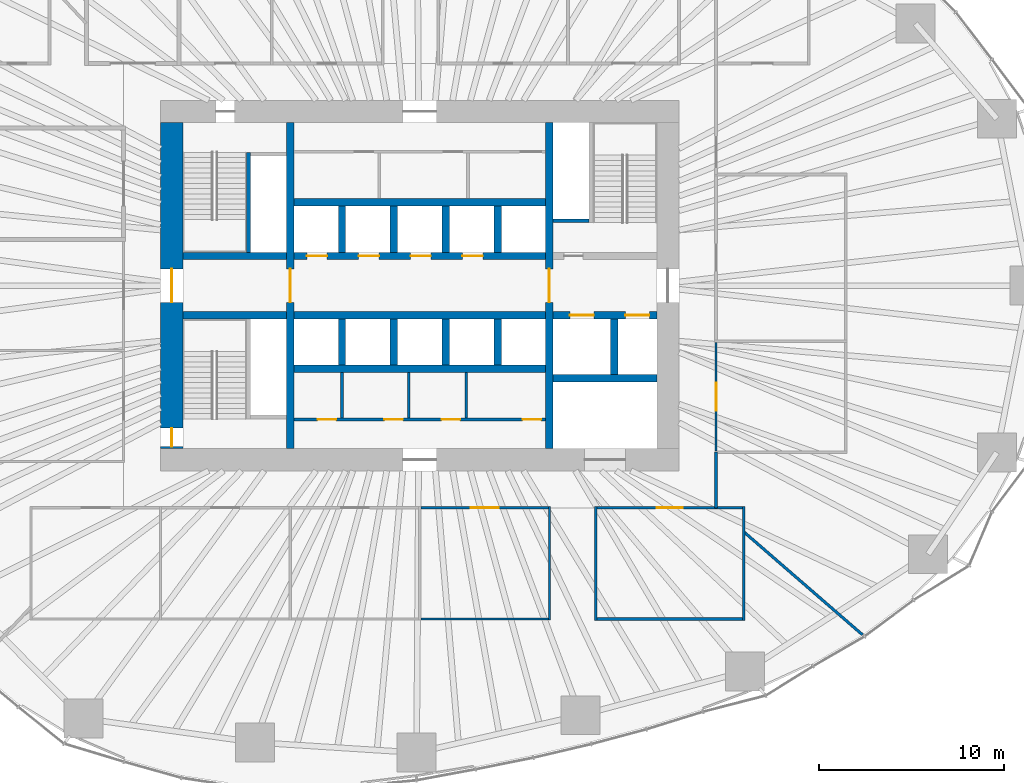
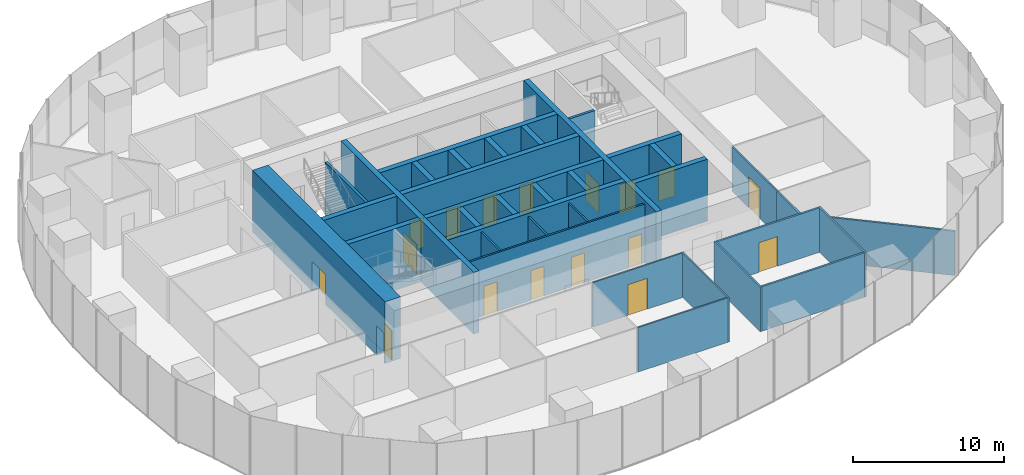
# One storey, part 10 of 20: 36 walls, 17 doors, 17 openings.
"""IFC4 building model written with IfcOpenShell, lengths in metres."""

from ifc_helpers import new_model, si_unit, direction, frame, frame_2d, origin, place, context, subcontext, project, spatial, rectangle, extrude, material, layer, layer_set, type_object, element, fill, save


model = new_model("IFC4")

# Units and contexts
model_context = context("Model", 3, precision=1e-05, world=origin(), true_north=direction((0.0, 1.0)))
body_context = subcontext(model_context, "Body", "Model", "MODEL_VIEW")
ifc_project = project(units=[si_unit("LENGTHUNIT", "METRE"), si_unit("AREAUNIT", "SQUARE_METRE"), si_unit("VOLUMEUNIT", "CUBIC_METRE"), si_unit("PLANEANGLEUNIT", "RADIAN"), si_unit("MASSUNIT", "GRAM", prefix="KILO")], contexts=[model_context])

# Site, building, storey
site_placement = place(None, origin())
site = spatial("IfcSite", under=ifc_project, at=site_placement, CompositionType="ELEMENT")
building_placement = place(site_placement, origin())
building = spatial("IfcBuilding", under=site, at=building_placement, Name="Ghaith Harvest Tower", CompositionType="ELEMENT")
storey_placement = place(building_placement, frame((0.0, 0.0, 45.0)))
storey = spatial("IfcBuildingStorey", under=building, at=storey_placement, Name="L09", CompositionType="ELEMENT", Elevation=45.0)

# Wall, openings, doors
ifc_material_1 = material(Name="Concrete blockwork, fair-faced", Category="masonry")
ifc_layer_1 = layer(ifc_material_1, 0.139892578125)
ifc_layer_set_1 = layer_set([ifc_layer_1], Name="CORE PARTITION 140")
wall_type_1 = type_object("IfcWallType", Name="CORE PARTITION 140", PredefinedType="PARTITIONING", material=ifc_layer_set_1)
wall_1_placement = place(storey_placement, frame((-6.800048828125, -7.22998046875, 0.0), z_axis=(0.0, 0.0, 1.0), x_axis=(1.0, 0.0, 0.0)))
wall_1 = element("IfcWall", 1, at=wall_1_placement, inside=storey, type_object=wall_type_1, Name="Core partition L09", PredefinedType="PARTITIONING", context=body_context, shape_type="SweptSolid", body=[
    extrude(rectangle(XDim=13.60009765625, YDim=0.139892578125, at=frame_2d((6.800048828125, 0.0))), origin(), (0.0, 0.0, 1.0), 4.75),
])
opening_1_placement = place(wall_1_placement, frame((1.280029296875, 0.0, 0.0)))
opening_1 = element("IfcOpeningElement", 2, at=opening_1_placement, cuts=wall_1, Name="Opening 09-011", PredefinedType="OPENING", context=body_context, shape_type="SweptSolid", body=[
    extrude(rectangle(XDim=1.0, YDim=2.39990234375, at=frame_2d((0.5, 1.199951171875))), frame((0.0, 0.080078125, 0.0), z_axis=(0.0, -1.0, 0.0), x_axis=(1.0, 0.0, 0.0)), (0.0, 0.0, 1.0), 0.159912109375),
])
opening_2_placement = place(wall_1_placement, frame((4.8798828125, 0.0, 0.0)))
opening_2 = element("IfcOpeningElement", 3, at=opening_2_placement, cuts=wall_1, Name="Opening 09-012", PredefinedType="OPENING", context=body_context, shape_type="SweptSolid", body=[
    extrude(rectangle(XDim=1.0, YDim=2.39990234375, at=frame_2d((0.5, 1.199951171875))), frame((0.0, 0.080078125, 0.0), z_axis=(0.0, -1.0, 0.0), x_axis=(1.0, 0.0, 0.0)), (0.0, 0.0, 1.0), 0.159912109375),
])
opening_3_placement = place(wall_1_placement, frame((7.97998046875, 0.0, 0.0)))
opening_3 = element("IfcOpeningElement", 4, at=opening_3_placement, cuts=wall_1, Name="Opening 09-013", PredefinedType="OPENING", context=body_context, shape_type="SweptSolid", body=[
    extrude(rectangle(XDim=1.0, YDim=2.39990234375, at=frame_2d((0.5, 1.199951171875))), frame((0.0, 0.080078125, 0.0), z_axis=(0.0, -1.0, 0.0), x_axis=(1.0, 0.0, 0.0)), (0.0, 0.0, 1.0), 0.159912109375),
])
opening_4_placement = place(wall_1_placement, frame((12.35009765625, 0.0, 0.0)))
opening_4 = element("IfcOpeningElement", 5, at=opening_4_placement, cuts=wall_1, Name="Opening 09-014", PredefinedType="OPENING", context=body_context, shape_type="SweptSolid", body=[
    extrude(rectangle(XDim=1.0, YDim=2.39990234375, at=frame_2d((0.5, 1.199951171875))), frame((0.0, 0.080078125, 0.0), z_axis=(0.0, -1.0, 0.0), x_axis=(1.0, 0.0, 0.0)), (0.0, 0.0, 1.0), 0.159912109375),
])
ifc_material_2 = material(Name="Steel fire door", Category="steel")
door_type_1 = type_object("IfcDoorType", Name="D3 FD90 1000x2400", OperationType="SINGLE_SWING_LEFT", PredefinedType="DOOR", material=ifc_material_2)
door_1_placement = place(opening_1_placement, origin())
door_1 = element("IfcDoor", 6, at=door_1_placement, inside=storey, type_object=door_type_1, Name="Security room door", OperationType="SINGLE_SWING_LEFT", OverallHeight=2.39990234375, OverallWidth=1.0, PredefinedType="DOOR", context=body_context, shape_type="SweptSolid", body=[
    extrude(rectangle(XDim=1.0, YDim=2.39990234375, at=frame_2d((0.5, 1.199951171875))), frame((0.0, 0.02490234375, 0.0), z_axis=(0.0, -1.0, 0.0), x_axis=(1.0, 0.0, 0.0)), (0.0, 0.0, 1.0), 0.050048828125),
])
fill(opening_1, door_1)
door_2_placement = place(opening_2_placement, origin())
door_2 = element("IfcDoor", 7, at=door_2_placement, inside=storey, type_object=door_type_1, Name="Electrical room door", OperationType="SINGLE_SWING_LEFT", OverallHeight=2.39990234375, OverallWidth=1.0, PredefinedType="DOOR", context=body_context, shape_type="SweptSolid", body=[
    extrude(rectangle(XDim=1.0, YDim=2.39990234375, at=frame_2d((0.5, 1.199951171875))), frame((0.0, 0.02490234375, 0.0), z_axis=(0.0, -1.0, 0.0), x_axis=(1.0, 0.0, 0.0)), (0.0, 0.0, 1.0), 0.050048828125),
])
fill(opening_2, door_2)
door_3_placement = place(opening_3_placement, origin())
door_3 = element("IfcDoor", 8, at=door_3_placement, inside=storey, type_object=door_type_1, Name="Communications equipment room door", OperationType="SINGLE_SWING_RIGHT", OverallHeight=2.39990234375, OverallWidth=1.0, PredefinedType="DOOR", context=body_context, shape_type="SweptSolid", body=[
    extrude(rectangle(XDim=1.0, YDim=2.39990234375, at=frame_2d((0.5, 1.199951171875))), frame((0.0, 0.02490234375, 0.0), z_axis=(0.0, -1.0, 0.0), x_axis=(1.0, 0.0, 0.0)), (0.0, 0.0, 1.0), 0.050048828125),
])
fill(opening_3, door_3)
door_4_placement = place(opening_4_placement, origin())
door_4 = element("IfcDoor", 9, at=door_4_placement, inside=storey, type_object=door_type_1, Name="Riser room door", OperationType="SINGLE_SWING_RIGHT", OverallHeight=2.39990234375, OverallWidth=1.0, PredefinedType="DOOR", context=body_context, shape_type="SweptSolid", body=[
    extrude(rectangle(XDim=1.0, YDim=2.39990234375, at=frame_2d((0.5, 1.199951171875))), frame((0.0, 0.02490234375, 0.0), z_axis=(0.0, -1.0, 0.0), x_axis=(1.0, 0.0, 0.0)), (0.0, 0.0, 1.0), 0.050048828125),
])
fill(opening_4, door_4)

# Walls
for number, where, z_axis, x_axis, name in (
    (10, (-4.199951171875, -4.699951171875, 0.0), (0.0, 0.0, 1.0), (0.0, -1.0, 0.0), "Core partition L09"),
    (11, (-0.60009765625, -4.699951171875, 0.0), (0.0, 0.0, 1.0), (0.0, -1.0, 0.0), "Core partition L09"),
    (12, (2.5, -4.699951171875, 0.0), (0.0, 0.0, 1.0), (0.0, -1.0, 0.0), "Core partition L09"),
):
    element("IfcWall", number, at=place(storey_placement, frame(where, z_axis=z_axis, x_axis=x_axis)), inside=storey, type_object=wall_type_1, Name=name, PredefinedType="PARTITIONING", context=body_context, shape_type="SweptSolid", body=[
        extrude(rectangle(XDim=2.4599609375, YDim=0.139892578125, at=frame_2d((1.22998046875, 0.0))), origin(), (0.0, 0.0, 1.0), 4.75),
    ])

# Wall, openings, doors
ifc_material_3 = material(Name="Concrete C70/85", Category="concrete")
ifc_layer_2 = layer(ifc_material_3, 1.199951171875)
ifc_layer_set_2 = layer_set([ifc_layer_2], Name="CORE WALL CW1200")
wall_type_2 = type_object("IfcWallType", Name="CORE WALL CW1200", PredefinedType="SHEAR", material=ifc_layer_set_2)
wall_2_placement = place(storey_placement, frame((-13.39990234375, 8.800048828125, 0.0), z_axis=(0.0, 0.0, 1.0), x_axis=(0.0, -1.0, 0.0)))
wall_2 = element("IfcWall", 13, at=wall_2_placement, inside=storey, type_object=wall_type_2, Name="Core wall W L09", PredefinedType="SHEAR", context=body_context, shape_type="SweptSolid", body=[
    extrude(rectangle(XDim=17.60009765625, YDim=1.199951171875, at=frame_2d((8.800048828125, 0.0))), origin(), (0.0, 0.0, 1.0), 5.0),
])
opening_5_placement = place(wall_2_placement, frame((7.89990234375, 0.0, 0.0)))
opening_5 = element("IfcOpeningElement", 14, at=opening_5_placement, cuts=wall_2, Name="Opening 09-001", PredefinedType="OPENING", context=body_context, shape_type="SweptSolid", body=[
    extrude(rectangle(XDim=1.800048828125, YDim=2.39990234375, at=frame_2d((0.89990234375, 1.199951171875))), frame((0.0, 0.60986328125, 0.0), z_axis=(0.0, -1.0, 0.0), x_axis=(1.0, 0.0, 0.0)), (0.0, 0.0, 1.0), 1.219970703125),
])
opening_6_placement = place(wall_2_placement, frame((16.5, 0.0, 0.0)))
opening_6 = element("IfcOpeningElement", 15, at=opening_6_placement, cuts=wall_2, Name="Opening 09-006", PredefinedType="OPENING", context=body_context, shape_type="SweptSolid", body=[
    extrude(rectangle(XDim=1.0, YDim=2.39990234375, at=frame_2d((0.5, 1.199951171875))), frame((0.0, 0.60986328125, 0.0), z_axis=(0.0, -1.0, 0.0), x_axis=(1.0, 0.0, 0.0)), (0.0, 0.0, 1.0), 1.219970703125),
])
door_5_placement = place(opening_6_placement, origin())
door_5 = element("IfcDoor", 16, at=door_5_placement, inside=storey, type_object=door_type_1, Name="Stair ST3 door", OperationType="SINGLE_SWING_RIGHT", OverallHeight=2.39990234375, OverallWidth=1.0, PredefinedType="DOOR", context=body_context, shape_type="SweptSolid", body=[
    extrude(rectangle(XDim=1.0, YDim=2.39990234375, at=frame_2d((0.5, 1.199951171875))), frame((0.0, 0.02490234375, 0.0), z_axis=(0.0, -1.0, 0.0), x_axis=(1.0, 0.0, 0.0)), (0.0, 0.0, 1.0), 0.050048828125),
])
fill(opening_6, door_5)
ifc_material_4 = material(Name="Steel fire door", Category="steel")
door_type_2 = type_object("IfcDoorType", Name="D4 FD90 PAIR 1800x2400", OperationType="DOUBLE_DOOR_SINGLE_SWING", PredefinedType="DOOR", material=ifc_material_4)
door_6_placement = place(opening_5_placement, origin())
door_6 = element("IfcDoor", 17, at=door_6_placement, inside=storey, type_object=door_type_2, Name="West lobby doors", OperationType="DOUBLE_DOOR_SINGLE_SWING", OverallHeight=2.39990234375, OverallWidth=1.800048828125, PredefinedType="DOOR", context=body_context, shape_type="SweptSolid", body=[
    extrude(rectangle(XDim=1.800048828125, YDim=2.39990234375, at=frame_2d((0.89990234375, 1.199951171875))), frame((0.0, 0.02490234375, 0.0), z_axis=(0.0, -1.0, 0.0), x_axis=(1.0, 0.0, 0.0)), (0.0, 0.0, 1.0), 0.050048828125),
])
fill(opening_5, door_6)

# Wall
ifc_material_5 = material(Name="Insulated food-grade panel", Category="steel")
ifc_layer_3 = layer(ifc_material_5, 0.1201171875)
ifc_layer_set_3 = layer_set([ifc_layer_3], Name="INSULATED PANEL WALL 120")
wall_type_3 = type_object("IfcWallType", Name="INSULATED PANEL WALL 120", PredefinedType="PARTITIONING", material=ifc_layer_set_3)
wall_3_placement = place(storey_placement, frame((7.0, -11.93994140625, 0.0), z_axis=(0.0, 0.0, 1.0), x_axis=(0.0, -1.0, 0.0)))
element("IfcWall", 18, at=wall_3_placement, inside=storey, type_object=wall_type_3, Name="Partition L09 row S1 cross wall 5", PredefinedType="PARTITIONING", context=body_context, shape_type="SweptSolid", body=[
    extrude(rectangle(XDim=6.1201171875, YDim=0.1201171875, at=frame_2d((3.06005859375, 0.0))), origin(), (0.0, 0.0, 1.0), 3.60009765625),
])

# Wall, opening, door
wall_4_placement = place(storey_placement, frame((0.06005859375, -12.0, 0.0), z_axis=(0.0, 0.0, 1.0), x_axis=(1.0, 0.0, 0.0)))
wall_4 = element("IfcWall", 19, at=wall_4_placement, inside=storey, type_object=wall_type_3, Name="Partition L09-04", PredefinedType="PARTITIONING", context=body_context, shape_type="SweptSolid", body=[
    extrude(rectangle(XDim=6.8798828125, YDim=0.1201171875, at=frame_2d((3.43994140625, 0.0))), origin(), (0.0, 0.0, 1.0), 3.60009765625),
])
opening_7_placement = place(wall_4_placement, frame((2.68994140625, 0.0, 0.0)))
opening_7 = element("IfcOpeningElement", 20, at=opening_7_placement, cuts=wall_4, Name="Opening 09-027", PredefinedType="OPENING", context=body_context, shape_type="SweptSolid", body=[
    extrude(rectangle(XDim=1.5, YDim=2.5, at=frame_2d((0.75, 1.25))), frame((0.0, 0.070068359375, 0.0), z_axis=(0.0, -1.0, 0.0), x_axis=(1.0, 0.0, 0.0)), (0.0, 0.0, 1.0), 0.14013671875),
])
ifc_material_6 = material(Name="Insulated steel sliding door", Category="steel")
door_type_3 = type_object("IfcDoorType", Name="D13 COLD STORE SLIDING 1500x2500", OperationType="SLIDING_TO_LEFT", PredefinedType="DOOR", material=ifc_material_6)
door_7_placement = place(opening_7_placement, origin())
door_7 = element("IfcDoor", 21, at=door_7_placement, inside=storey, type_object=door_type_3, Name="Racked growing room door", OperationType="SLIDING_TO_LEFT", OverallHeight=2.5, OverallWidth=1.5, PredefinedType="DOOR", context=body_context, shape_type="SweptSolid", body=[
    extrude(rectangle(XDim=1.5, YDim=2.5, at=frame_2d((0.75, 1.25))), frame((0.0, 0.02490234375, 0.0), z_axis=(0.0, -1.0, 0.0), x_axis=(1.0, 0.0, 0.0)), (0.0, 0.0, 1.0), 0.050048828125),
])
fill(opening_7, door_7)

# Wall
wall_5_placement = place(storey_placement, frame((0.06005859375, -18.0, 0.0), z_axis=(0.0, 0.0, 1.0), x_axis=(1.0, 0.0, 0.0)))
element("IfcWall", 22, at=wall_5_placement, inside=storey, type_object=wall_type_3, Name="Partition L09-04", PredefinedType="PARTITIONING", context=body_context, shape_type="SweptSolid", body=[
    extrude(rectangle(XDim=6.8798828125, YDim=0.1201171875, at=frame_2d((3.43994140625, 0.0))), origin(), (0.0, 0.0, 1.0), 3.60009765625),
])

# Wall, opening, door
wall_6_placement = place(storey_placement, frame((16.0, -8.93994140625, 0.0), z_axis=(0.0, 0.0, 1.0), x_axis=(0.0, 1.0, 0.0)))
wall_6 = element("IfcWall", 23, at=wall_6_placement, inside=storey, type_object=wall_type_3, Name="Partition L09-14", PredefinedType="PARTITIONING", context=body_context, shape_type="SweptSolid", body=[
    extrude(rectangle(XDim=5.8798828125, YDim=0.1201171875, at=frame_2d((2.93994140625, 0.0))), origin(), (0.0, 0.0, 1.0), 3.60009765625),
])
opening_8_placement = place(wall_6_placement, frame((2.18994140625, 0.0, 0.0)))
opening_8 = element("IfcOpeningElement", 24, at=opening_8_placement, cuts=wall_6, Name="Opening 09-037", PredefinedType="OPENING", context=body_context, shape_type="SweptSolid", body=[
    extrude(rectangle(XDim=1.5, YDim=2.5, at=frame_2d((0.75, 1.25))), frame((0.0, 0.070068359375, 0.0), z_axis=(0.0, -1.0, 0.0), x_axis=(1.0, 0.0, 0.0)), (0.0, 0.0, 1.0), 0.14013671875),
])
door_8_placement = place(opening_8_placement, origin())
door_8 = element("IfcDoor", 25, at=door_8_placement, inside=storey, type_object=door_type_3, Name="Cold store door", OperationType="SLIDING_TO_LEFT", OverallHeight=2.5, OverallWidth=1.5, PredefinedType="DOOR", context=body_context, shape_type="SweptSolid", body=[
    extrude(rectangle(XDim=1.5, YDim=2.5, at=frame_2d((0.75, 1.25))), frame((0.0, 0.02490234375, 0.0), z_axis=(0.0, -1.0, 0.0), x_axis=(1.0, 0.0, 0.0)), (0.0, 0.0, 1.0), 0.050048828125),
])
fill(opening_8, door_8)

# Walls
ifc_material_7 = material(Name="Gypsum board on steel studs", Category="steel")
ifc_layer_4 = layer(ifc_material_7, 0.14990234375)
ifc_layer_set_4 = layer_set([ifc_layer_4], Name="PARTITION 150")
wall_type_4 = type_object("IfcWallType", Name="PARTITION 150", PredefinedType="PARTITIONING", material=ifc_layer_set_4)
for number, where, z_axis, x_axis, name in (
    (26, (9.5, -11.925048828125, 0.0), (0.0, 0.0, 1.0), (0.0, -1.0, 0.0), "Partition L09 row S2 cross wall 1"),
    (27, (17.5, -11.925048828125, 0.0), (0.0, 0.0, 1.0), (0.0, -1.0, 0.0), "Partition L09 row S2 cross wall 2"),
):
    element("IfcWall", number, at=place(storey_placement, frame(where, z_axis=z_axis, x_axis=x_axis)), inside=storey, type_object=wall_type_4, Name=name, PredefinedType="PARTITIONING", context=body_context, shape_type="SweptSolid", body=[
        extrude(rectangle(XDim=6.14990234375, YDim=0.14990234375, at=frame_2d((3.074951171875, 0.0))), origin(), (0.0, 0.0, 1.0), 3.60009765625),
    ])

# Wall, opening, door
wall_7_placement = place(storey_placement, frame((9.574951171875, -12.0, 0.0), z_axis=(0.0, 0.0, 1.0), x_axis=(1.0, 0.0, 0.0)))
wall_7 = element("IfcWall", 28, at=wall_7_placement, inside=storey, type_object=wall_type_4, Name="Partition L09-05", PredefinedType="PARTITIONING", context=body_context, shape_type="SweptSolid", body=[
    extrude(rectangle(XDim=7.85009765625, YDim=0.14990234375, at=frame_2d((3.925048828125, 0.0))), origin(), (0.0, 0.0, 1.0), 3.60009765625),
])
opening_9_placement = place(wall_7_placement, frame((3.22509765625, 0.0, 0.0)))
opening_9 = element("IfcOpeningElement", 29, at=opening_9_placement, cuts=wall_7, Name="Opening 09-028", PredefinedType="OPENING", context=body_context, shape_type="SweptSolid", body=[
    extrude(rectangle(XDim=1.39990234375, YDim=2.39990234375, at=frame_2d((0.699951171875, 1.199951171875))), frame((0.0, 0.0849609375, 0.0), z_axis=(0.0, -1.0, 0.0), x_axis=(1.0, 0.0, 0.0)), (0.0, 0.0, 1.0), 0.169921875),
])
ifc_material_8 = material(Name="Stainless steel faced door pair", Category="steel")
door_type_4 = type_object("IfcDoorType", Name="D14 HYGIENE PAIR 1400x2400", OperationType="DOUBLE_DOOR_DOUBLE_SWING", PredefinedType="DOOR", material=ifc_material_8)
door_9_placement = place(opening_9_placement, origin())
door_9 = element("IfcDoor", 30, at=door_9_placement, inside=storey, type_object=door_type_4, Name="Harvest room door", OperationType="DOUBLE_DOOR_DOUBLE_SWING", OverallHeight=2.39990234375, OverallWidth=1.39990234375, PredefinedType="DOOR", context=body_context, shape_type="SweptSolid", body=[
    extrude(rectangle(XDim=1.39990234375, YDim=2.39990234375, at=frame_2d((0.699951171875, 1.199951171875))), frame((0.0, 0.02490234375, 0.0), z_axis=(0.0, -1.0, 0.0), x_axis=(1.0, 0.0, 0.0)), (0.0, 0.0, 1.0), 0.050048828125),
])
fill(opening_9, door_9)

# Walls
wall_8_placement = place(storey_placement, frame((9.574951171875, -18.0, 0.0), z_axis=(0.0, 0.0, 1.0), x_axis=(1.0, 0.0, 0.0)))
element("IfcWall", 31, at=wall_8_placement, inside=storey, type_object=wall_type_4, Name="Partition L09-05", PredefinedType="PARTITIONING", context=body_context, shape_type="SweptSolid", body=[
    extrude(rectangle(XDim=7.85009765625, YDim=0.14990234375, at=frame_2d((3.925048828125, 0.0))), origin(), (0.0, 0.0, 1.0), 3.60009765625),
])
wall_9_placement = place(storey_placement, frame((17.52001953125, -13.318359375, 0.0), z_axis=(0.0, 0.0, 1.0), x_axis=(0.755434683868, -0.655223960497, 0.0)))
element("IfcWall", 32, at=wall_9_placement, inside=storey, type_object=wall_type_4, Name="Partition L09 zone division", PredefinedType="PARTITIONING", context=body_context, shape_type="SweptSolid", body=[
    extrude(rectangle(XDim=8.456298828125, YDim=0.14990234375, at=frame_2d((4.22802734375, 0.0))), origin(), (0.0, 0.0, 1.0), 3.60009765625),
])
wall_10_placement = place(storey_placement, frame((16.0, -12.0, 0.0), z_axis=(0.0, 0.0, 1.0), x_axis=(0.0, 1.0, 0.0)))
element("IfcWall", 33, at=wall_10_placement, inside=storey, type_object=wall_type_4, Name="Partition L09 zone enclosure", PredefinedType="PARTITIONING", context=body_context, shape_type="SweptSolid", body=[
    extrude(rectangle(XDim=3.0, YDim=0.14990234375, at=frame_2d((1.5, 0.0))), origin(), (0.0, 0.0, 1.0), 3.60009765625),
])

# Wall, opening, door
ifc_material_9 = material(Name="Concrete C70/85", Category="concrete")
ifc_layer_5 = layer(ifc_material_9, 0.39990234375)
ifc_layer_set_5 = layer_set([ifc_layer_5], Name="SHAFT WALL 400")
wall_type_5 = type_object("IfcWallType", Name="SHAFT WALL 400", PredefinedType="SHEAR", material=ifc_layer_set_5)
wall_11_placement = place(storey_placement, frame((-7.0, -8.800048828125, 0.0), z_axis=(0.0, 0.0, 1.0), x_axis=(0.0, 1.0, 0.0)))
wall_11 = element("IfcWall", 34, at=wall_11_placement, inside=storey, type_object=wall_type_5, Name="Shaft wall W7W L09", PredefinedType="SHEAR", context=body_context, shape_type="SweptSolid", body=[
    extrude(rectangle(XDim=17.60009765625, YDim=0.39990234375, at=frame_2d((8.800048828125, 0.0))), origin(), (0.0, 0.0, 1.0), 5.0),
])
opening_10_placement = place(wall_11_placement, frame((7.89990234375, 0.0, 0.0)))
opening_10 = element("IfcOpeningElement", 35, at=opening_10_placement, cuts=wall_11, Name="Opening 09-003", PredefinedType="OPENING", context=body_context, shape_type="SweptSolid", body=[
    extrude(rectangle(XDim=1.800048828125, YDim=2.39990234375, at=frame_2d((0.89990234375, 1.199951171875))), frame((0.0, 0.2099609375, 0.0), z_axis=(0.0, -1.0, 0.0), x_axis=(1.0, 0.0, 0.0)), (0.0, 0.0, 1.0), 0.419921875),
])
door_10_placement = place(opening_10_placement, origin())
door_10 = element("IfcDoor", 36, at=door_10_placement, inside=storey, type_object=door_type_2, Name="Lift lobby doors, west", OperationType="DOUBLE_DOOR_SINGLE_SWING", OverallHeight=2.39990234375, OverallWidth=1.800048828125, PredefinedType="DOOR", context=body_context, shape_type="SweptSolid", body=[
    extrude(rectangle(XDim=1.800048828125, YDim=2.39990234375, at=frame_2d((0.89990234375, 1.199951171875))), frame((0.0, 0.02490234375, 0.0), z_axis=(0.0, -1.0, 0.0), x_axis=(1.0, 0.0, 0.0)), (0.0, 0.0, 1.0), 0.050048828125),
])
fill(opening_10, door_10)

wall_12_placement = place(storey_placement, frame((7.0, -8.800048828125, 0.0), z_axis=(0.0, 0.0, 1.0), x_axis=(0.0, 1.0, 0.0)))
wall_12 = element("IfcWall", 37, at=wall_12_placement, inside=storey, type_object=wall_type_5, Name="Shaft wall W7E L09", PredefinedType="SHEAR", context=body_context, shape_type="SweptSolid", body=[
    extrude(rectangle(XDim=17.60009765625, YDim=0.39990234375, at=frame_2d((8.800048828125, 0.0))), origin(), (0.0, 0.0, 1.0), 5.0),
])
opening_11_placement = place(wall_12_placement, frame((7.89990234375, 0.0, 0.0)))
opening_11 = element("IfcOpeningElement", 38, at=opening_11_placement, cuts=wall_12, Name="Opening 09-004", PredefinedType="OPENING", context=body_context, shape_type="SweptSolid", body=[
    extrude(rectangle(XDim=1.800048828125, YDim=2.39990234375, at=frame_2d((0.89990234375, 1.199951171875))), frame((0.0, 0.2099609375, 0.0), z_axis=(0.0, -1.0, 0.0), x_axis=(1.0, 0.0, 0.0)), (0.0, 0.0, 1.0), 0.419921875),
])
door_11_placement = place(opening_11_placement, origin())
door_11 = element("IfcDoor", 39, at=door_11_placement, inside=storey, type_object=door_type_2, Name="Lift lobby doors, east", OperationType="DOUBLE_DOOR_SINGLE_SWING", OverallHeight=2.39990234375, OverallWidth=1.800048828125, PredefinedType="DOOR", context=body_context, shape_type="SweptSolid", body=[
    extrude(rectangle(XDim=1.800048828125, YDim=2.39990234375, at=frame_2d((0.89990234375, 1.199951171875))), frame((0.0, 0.02490234375, 0.0), z_axis=(0.0, -1.0, 0.0), x_axis=(1.0, 0.0, 0.0)), (0.0, 0.0, 1.0), 0.050048828125),
])
fill(opening_11, door_11)

# Wall, openings, doors
wall_13_placement = place(storey_placement, frame((-6.800048828125, 1.60009765625, 0.0), z_axis=(0.0, 0.0, 1.0), x_axis=(1.0, 0.0, 0.0)))
wall_13 = element("IfcWall", 40, at=wall_13_placement, inside=storey, type_object=wall_type_5, Name="Shaft wall LN L09", PredefinedType="SHEAR", context=body_context, shape_type="SweptSolid", body=[
    extrude(rectangle(XDim=13.60009765625, YDim=0.39990234375, at=frame_2d((6.800048828125, 0.0))), origin(), (0.0, 0.0, 1.0), 5.0),
])
opening_12_placement = place(wall_13_placement, frame((0.699951171875, 0.0, 0.0)))
opening_12 = element("IfcOpeningElement", 41, at=opening_12_placement, cuts=wall_13, Name="Opening 09-017", PredefinedType="OPENING", context=body_context, shape_type="SweptSolid", body=[
    extrude(rectangle(XDim=1.10009765625, YDim=2.39990234375, at=frame_2d((0.550048828125, 1.199951171875))), frame((0.0, 0.2099609375, 0.0), z_axis=(0.0, -1.0, 0.0), x_axis=(1.0, 0.0, 0.0)), (0.0, 0.0, 1.0), 0.419921875),
])
opening_13_placement = place(wall_13_placement, frame((3.5, 0.0, 0.0)))
opening_13 = element("IfcOpeningElement", 42, at=opening_13_placement, cuts=wall_13, Name="Opening 09-018", PredefinedType="OPENING", context=body_context, shape_type="SweptSolid", body=[
    extrude(rectangle(XDim=1.10009765625, YDim=2.39990234375, at=frame_2d((0.550048828125, 1.199951171875))), frame((0.0, 0.2099609375, 0.0), z_axis=(0.0, -1.0, 0.0), x_axis=(1.0, 0.0, 0.0)), (0.0, 0.0, 1.0), 0.419921875),
])
opening_14_placement = place(wall_13_placement, frame((6.300048828125, 0.0, 0.0)))
opening_14 = element("IfcOpeningElement", 43, at=opening_14_placement, cuts=wall_13, Name="Opening 09-019", PredefinedType="OPENING", context=body_context, shape_type="SweptSolid", body=[
    extrude(rectangle(XDim=1.10009765625, YDim=2.39990234375, at=frame_2d((0.550048828125, 1.199951171875))), frame((0.0, 0.2099609375, 0.0), z_axis=(0.0, -1.0, 0.0), x_axis=(1.0, 0.0, 0.0)), (0.0, 0.0, 1.0), 0.419921875),
])
opening_15_placement = place(wall_13_placement, frame((9.10009765625, 0.0, 0.0)))
opening_15 = element("IfcOpeningElement", 44, at=opening_15_placement, cuts=wall_13, Name="Opening 09-020", PredefinedType="OPENING", context=body_context, shape_type="SweptSolid", body=[
    extrude(rectangle(XDim=1.10009765625, YDim=2.39990234375, at=frame_2d((0.550048828125, 1.199951171875))), frame((0.0, 0.2099609375, 0.0), z_axis=(0.0, -1.0, 0.0), x_axis=(1.0, 0.0, 0.0)), (0.0, 0.0, 1.0), 0.419921875),
])
ifc_material_10 = material(Name="Steel fire door", Category="steel")
door_type_5 = type_object("IfcDoorType", Name="LD1 LANDING 1100x2400", OperationType="DOUBLE_DOOR_SLIDING", PredefinedType="DOOR", material=ifc_material_10)
door_12_placement = place(opening_12_placement, origin())
door_12 = element("IfcDoor", 45, at=door_12_placement, inside=storey, type_object=door_type_5, Name="Landing door, lift FA1", OperationType="DOUBLE_DOOR_SLIDING", OverallHeight=2.39990234375, OverallWidth=1.10009765625, PredefinedType="DOOR", context=body_context, shape_type="SweptSolid", body=[
    extrude(rectangle(XDim=1.10009765625, YDim=2.39990234375, at=frame_2d((0.550048828125, 1.199951171875))), frame((0.0, 0.02490234375, 0.0), z_axis=(0.0, -1.0, 0.0), x_axis=(1.0, 0.0, 0.0)), (0.0, 0.0, 1.0), 0.050048828125),
])
fill(opening_12, door_12)
door_13_placement = place(opening_13_placement, origin())
door_13 = element("IfcDoor", 46, at=door_13_placement, inside=storey, type_object=door_type_5, Name="Landing door, lift FA2", OperationType="DOUBLE_DOOR_SLIDING", OverallHeight=2.39990234375, OverallWidth=1.10009765625, PredefinedType="DOOR", context=body_context, shape_type="SweptSolid", body=[
    extrude(rectangle(XDim=1.10009765625, YDim=2.39990234375, at=frame_2d((0.550048828125, 1.199951171875))), frame((0.0, 0.02490234375, 0.0), z_axis=(0.0, -1.0, 0.0), x_axis=(1.0, 0.0, 0.0)), (0.0, 0.0, 1.0), 0.050048828125),
])
fill(opening_13, door_13)
door_14_placement = place(opening_14_placement, origin())
door_14 = element("IfcDoor", 47, at=door_14_placement, inside=storey, type_object=door_type_5, Name="Landing door, lift FA3", OperationType="DOUBLE_DOOR_SLIDING", OverallHeight=2.39990234375, OverallWidth=1.10009765625, PredefinedType="DOOR", context=body_context, shape_type="SweptSolid", body=[
    extrude(rectangle(XDim=1.10009765625, YDim=2.39990234375, at=frame_2d((0.550048828125, 1.199951171875))), frame((0.0, 0.02490234375, 0.0), z_axis=(0.0, -1.0, 0.0), x_axis=(1.0, 0.0, 0.0)), (0.0, 0.0, 1.0), 0.050048828125),
])
fill(opening_14, door_14)
door_15_placement = place(opening_15_placement, origin())
door_15 = element("IfcDoor", 48, at=door_15_placement, inside=storey, type_object=door_type_5, Name="Landing door, lift FA4", OperationType="DOUBLE_DOOR_SLIDING", OverallHeight=2.39990234375, OverallWidth=1.10009765625, PredefinedType="DOOR", context=body_context, shape_type="SweptSolid", body=[
    extrude(rectangle(XDim=1.10009765625, YDim=2.39990234375, at=frame_2d((0.550048828125, 1.199951171875))), frame((0.0, 0.02490234375, 0.0), z_axis=(0.0, -1.0, 0.0), x_axis=(1.0, 0.0, 0.0)), (0.0, 0.0, 1.0), 0.050048828125),
])
fill(opening_15, door_15)

# Walls
for number, where, z_axis, x_axis, name in (
    (49, (-6.800048828125, -1.60009765625, 0.0), (0.0, 0.0, 1.0), (1.0, 0.0, 0.0), "Shaft wall LS L09"),
    (50, (-6.800048828125, 4.5, 0.0), (0.0, 0.0, 1.0), (1.0, 0.0, 0.0), "Shaft wall BN L09"),
    (51, (-6.800048828125, -4.5, 0.0), (0.0, 0.0, 1.0), (1.0, 0.0, 0.0), "Shaft wall BS L09"),
):
    element("IfcWall", number, at=place(storey_placement, frame(where, z_axis=z_axis, x_axis=x_axis)), inside=storey, type_object=wall_type_5, Name=name, PredefinedType="SHEAR", context=body_context, shape_type="SweptSolid", body=[
        extrude(rectangle(XDim=13.60009765625, YDim=0.39990234375, at=frame_2d((6.800048828125, 0.0))), origin(), (0.0, 0.0, 1.0), 5.0),
    ])
for number, where, z_axis, x_axis, name in (
    (52, (-12.800048828125, 1.60009765625, 0.0), (0.0, 0.0, 1.0), (1.0, 0.0, 0.0), "Shaft wall WN L09"),
    (53, (-12.800048828125, -1.60009765625, 0.0), (0.0, 0.0, 1.0), (1.0, 0.0, 0.0), "Shaft wall WS L09"),
):
    element("IfcWall", number, at=place(storey_placement, frame(where, z_axis=z_axis, x_axis=x_axis)), inside=storey, type_object=wall_type_5, Name=name, PredefinedType="SHEAR", context=body_context, shape_type="SweptSolid", body=[
        extrude(rectangle(XDim=5.60009765625, YDim=0.39990234375, at=frame_2d((2.800048828125, 0.0))), origin(), (0.0, 0.0, 1.0), 5.0),
    ])

# Wall, openings, doors
wall_14_placement = place(storey_placement, frame((7.199951171875, -1.60009765625, 0.0), z_axis=(0.0, 0.0, 1.0), x_axis=(1.0, 0.0, 0.0)))
wall_14 = element("IfcWall", 54, at=wall_14_placement, inside=storey, type_object=wall_type_5, Name="Shaft wall ES L09", PredefinedType="SHEAR", context=body_context, shape_type="SweptSolid", body=[
    extrude(rectangle(XDim=5.60009765625, YDim=0.39990234375, at=frame_2d((2.800048828125, 0.0))), origin(), (0.0, 0.0, 1.0), 5.0),
])
opening_16_placement = place(wall_14_placement, frame((0.89990234375, 0.0, 0.0)))
opening_16 = element("IfcOpeningElement", 55, at=opening_16_placement, cuts=wall_14, Name="Opening 09-021", PredefinedType="OPENING", context=body_context, shape_type="SweptSolid", body=[
    extrude(rectangle(XDim=1.300048828125, YDim=2.39990234375, at=frame_2d((0.64990234375, 1.199951171875))), frame((0.0, 0.2099609375, 0.0), z_axis=(0.0, -1.0, 0.0), x_axis=(1.0, 0.0, 0.0)), (0.0, 0.0, 1.0), 0.419921875),
])
opening_17_placement = place(wall_14_placement, frame((3.89990234375, 0.0, 0.0)))
opening_17 = element("IfcOpeningElement", 56, at=opening_17_placement, cuts=wall_14, Name="Opening 09-022", PredefinedType="OPENING", context=body_context, shape_type="SweptSolid", body=[
    extrude(rectangle(XDim=1.300048828125, YDim=2.39990234375, at=frame_2d((0.64990234375, 1.199951171875))), frame((0.0, 0.2099609375, 0.0), z_axis=(0.0, -1.0, 0.0), x_axis=(1.0, 0.0, 0.0)), (0.0, 0.0, 1.0), 0.419921875),
])
ifc_material_11 = material(Name="Steel fire door", Category="steel")
door_type_6 = type_object("IfcDoorType", Name="LD2 LANDING 1300x2400", OperationType="DOUBLE_DOOR_SLIDING", PredefinedType="DOOR", material=ifc_material_11)
door_16_placement = place(opening_16_placement, origin())
door_16 = element("IfcDoor", 57, at=door_16_placement, inside=storey, type_object=door_type_6, Name="Landing door, fire service lift FL1", OperationType="DOUBLE_DOOR_SLIDING", OverallHeight=2.39990234375, OverallWidth=1.300048828125, PredefinedType="DOOR", context=body_context, shape_type="SweptSolid", body=[
    extrude(rectangle(XDim=1.300048828125, YDim=2.39990234375, at=frame_2d((0.64990234375, 1.199951171875))), frame((0.0, 0.02490234375, 0.0), z_axis=(0.0, -1.0, 0.0), x_axis=(1.0, 0.0, 0.0)), (0.0, 0.0, 1.0), 0.050048828125),
])
fill(opening_16, door_16)
door_17_placement = place(opening_17_placement, origin())
door_17 = element("IfcDoor", 58, at=door_17_placement, inside=storey, type_object=door_type_6, Name="Landing door, fire service lift FL2", OperationType="DOUBLE_DOOR_SLIDING", OverallHeight=2.39990234375, OverallWidth=1.300048828125, PredefinedType="DOOR", context=body_context, shape_type="SweptSolid", body=[
    extrude(rectangle(XDim=1.300048828125, YDim=2.39990234375, at=frame_2d((0.64990234375, 1.199951171875))), frame((0.0, 0.02490234375, 0.0), z_axis=(0.0, -1.0, 0.0), x_axis=(1.0, 0.0, 0.0)), (0.0, 0.0, 1.0), 0.050048828125),
])
fill(opening_17, door_17)

# Walls
wall_15_placement = place(storey_placement, frame((10.5, -4.800048828125, 0.0), z_axis=(0.0, 0.0, 1.0), x_axis=(0.0, 1.0, 0.0)))
element("IfcWall", 59, at=wall_15_placement, inside=storey, type_object=wall_type_5, Name="Shaft wall FLD L09", PredefinedType="SHEAR", context=body_context, shape_type="SweptSolid", body=[
    extrude(rectangle(XDim=3.0, YDim=0.39990234375, at=frame_2d((1.5, 0.0))), origin(), (0.0, 0.0, 1.0), 5.0),
])
wall_16_placement = place(storey_placement, frame((7.199951171875, -5.0, 0.0), z_axis=(0.0, 0.0, 1.0), x_axis=(1.0, 0.0, 0.0)))
element("IfcWall", 60, at=wall_16_placement, inside=storey, type_object=wall_type_5, Name="Shaft wall FLB L09", PredefinedType="SHEAR", context=body_context, shape_type="SweptSolid", body=[
    extrude(rectangle(XDim=5.60009765625, YDim=0.39990234375, at=frame_2d((2.800048828125, 0.0))), origin(), (0.0, 0.0, 1.0), 5.0),
])
for number, where, z_axis, x_axis, name in (
    (61, (-4.199951171875, 1.800048828125, 0.0), (0.0, 0.0, 1.0), (0.0, 1.0, 0.0), "Shaft wall DN1 L09"),
    (62, (-4.199951171875, -4.300048828125, 0.0), (0.0, 0.0, 1.0), (0.0, 1.0, 0.0), "Shaft wall DS1 L09"),
    (63, (-1.39990234375, 1.800048828125, 0.0), (0.0, 0.0, 1.0), (0.0, 1.0, 0.0), "Shaft wall DN2 L09"),
    (64, (-1.39990234375, -4.300048828125, 0.0), (0.0, 0.0, 1.0), (0.0, 1.0, 0.0), "Shaft wall DS2 L09"),
    (65, (1.39990234375, 1.800048828125, 0.0), (0.0, 0.0, 1.0), (0.0, 1.0, 0.0), "Shaft wall DN3 L09"),
    (66, (1.39990234375, -4.300048828125, 0.0), (0.0, 0.0, 1.0), (0.0, 1.0, 0.0), "Shaft wall DS3 L09"),
    (67, (4.199951171875, 1.800048828125, 0.0), (0.0, 0.0, 1.0), (0.0, 1.0, 0.0), "Shaft wall DN4 L09"),
    (68, (4.199951171875, -4.300048828125, 0.0), (0.0, 0.0, 1.0), (0.0, 1.0, 0.0), "Shaft wall DS4 L09"),
):
    element("IfcWall", number, at=place(storey_placement, frame(where, z_axis=z_axis, x_axis=x_axis)), inside=storey, type_object=wall_type_5, Name=name, PredefinedType="SHEAR", context=body_context, shape_type="SweptSolid", body=[
        extrude(rectangle(XDim=2.5, YDim=0.39990234375, at=frame_2d((1.25, 0.0))), origin(), (0.0, 0.0, 1.0), 5.0),
    ])
ifc_material_12 = material(Name="Concrete C40/50", Category="concrete")
ifc_layer_6 = layer(ifc_material_12, 0.199951171875)
ifc_layer_set_6 = layer_set([ifc_layer_6], Name="STAIR SPINE WALL RC200")
wall_type_6 = type_object("IfcWallType", Name="STAIR SPINE WALL RC200", PredefinedType="SOLIDWALL", material=ifc_layer_set_6)
wall_17_placement = place(storey_placement, frame((-9.25, 7.199951171875, 0.0), z_axis=(0.0, 0.0, 1.0), x_axis=(0.0, -1.0, 0.0)))
element("IfcWall", 69, at=wall_17_placement, inside=storey, type_object=wall_type_6, Name="Stair ST1 spine wall L09", PredefinedType="SOLIDWALL", context=body_context, shape_type="SweptSolid", body=[
    extrude(rectangle(XDim=5.39990234375, YDim=0.199951171875, at=frame_2d((2.699951171875, 0.0))), origin(), (0.0, 0.0, 1.0), 5.0),
])
wall_18_placement = place(storey_placement, frame((9.14990234375, 3.5, 0.0), z_axis=(0.0, 0.0, 1.0), x_axis=(-1.0, 0.0, 0.0)))
element("IfcWall", 70, at=wall_18_placement, inside=storey, type_object=wall_type_6, Name="Stair ST2 spine wall return L09", PredefinedType="SOLIDWALL", context=body_context, shape_type="SweptSolid", body=[
    extrude(rectangle(XDim=1.949951171875, YDim=0.199951171875, at=frame_2d((0.97509765625, 0.0))), origin(), (0.0, 0.0, 1.0), 5.0),
])

save(model, "model.ifc")
